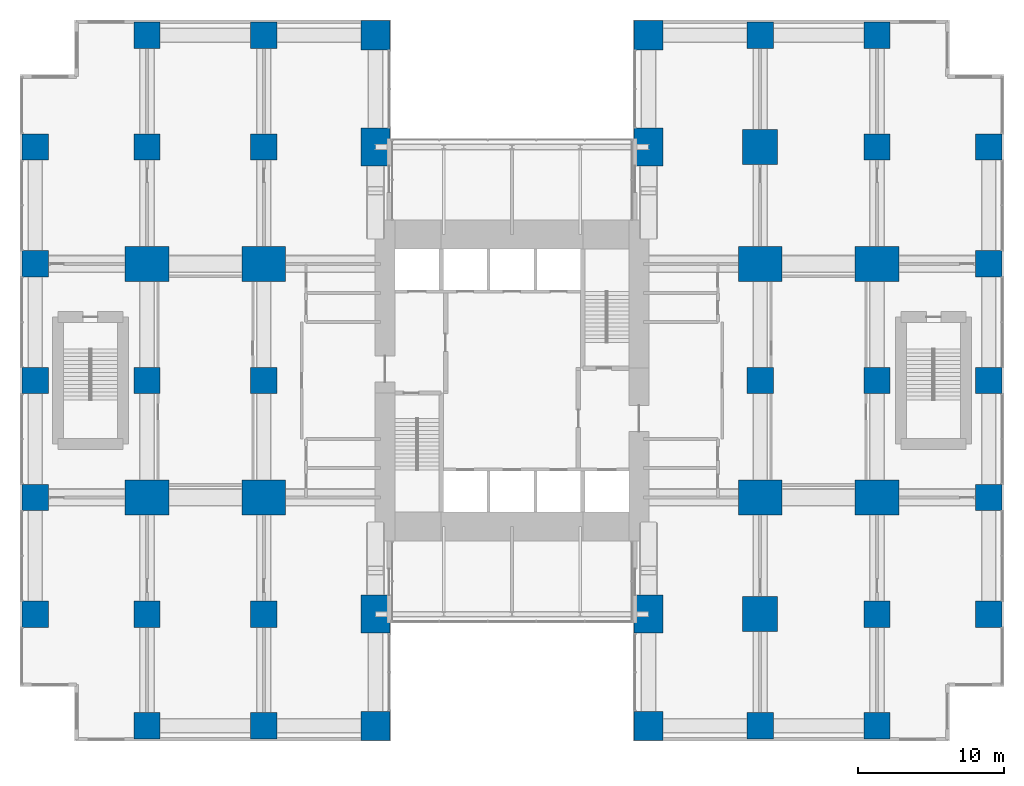
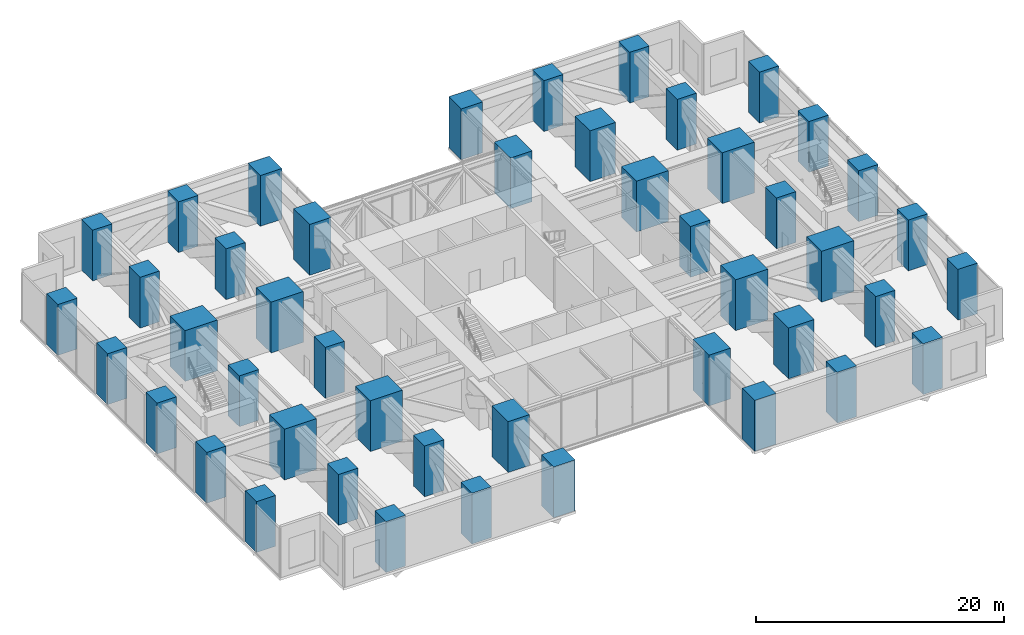
# One storey, part 1 of 19: 46 columns.
"""IFC4 building model written with IfcOpenShell, lengths in metres."""

from ifc_helpers import new_model, si_unit, direction, frame, origin, origin_2d, place, context, subcontext, project, spatial, rectangle, extrude, material, material_profile, profile_set, type_object, element, save


model = new_model("IFC4")

# Units and contexts
model_context = context("Model", 3, precision=1e-05, world=origin(), true_north=direction((0.0, 1.0)))
body_context = subcontext(model_context, "Body", "Model", "MODEL_VIEW")
ifc_project = project(units=[si_unit("LENGTHUNIT", "METRE"), si_unit("AREAUNIT", "SQUARE_METRE"), si_unit("VOLUMEUNIT", "CUBIC_METRE"), si_unit("PLANEANGLEUNIT", "RADIAN"), si_unit("MASSUNIT", "GRAM", prefix="KILO")], contexts=[model_context])

# Site, building, storey
site_placement = place(None, origin())
site = spatial("IfcSite", under=ifc_project, at=site_placement, CompositionType="ELEMENT")
building_placement = place(site_placement, origin())
building = spatial("IfcBuilding", under=site, at=building_placement, Name="Cleftline Residences", CompositionType="ELEMENT")
storey_placement = place(building_placement, frame((0.0, 0.0, 177.199951171875)))
storey = spatial("IfcBuildingStorey", under=building, at=storey_placement, Name="L46", CompositionType="ELEMENT", Elevation=177.199951171875)

# Columns
ifc_material_1 = material(Name="Concrete B70", Category="concrete")
ifc_material_profile_1 = material_profile(ifc_material_1, rectangle(XDim=1.800048828125, YDim=1.800048828125, at=origin_2d()))
ifc_profile_set_1 = profile_set([ifc_material_profile_1], Name="Concrete B70")
column_type_1 = type_object("IfcColumnType", Name="COLUMN RC1800X1800", PredefinedType="COLUMN", material=ifc_profile_set_1)
for number, where, z_axis, x_axis, name in (
    (1, (0.35009765625, 8.0, 0.0), (0.0, 0.0, 1.0), (1.0, 0.0, 0.0), "Column D/3"),
    (2, (0.35009765625, 16.0, 0.0), (0.0, 0.0, 1.0), (1.0, 0.0, 0.0), "Column E/3"),
    (3, (0.35009765625, 24.0, 0.0), (0.0, 0.0, 1.0), (1.0, 0.0, 0.0), "Column F/3"),
    (4, (0.35009765625, 32.0, 0.0), (0.0, 0.0, 1.0), (1.0, 0.0, 0.0), "Column G/3"),
    (5, (0.35009765625, 40.0, 0.0), (0.0, 0.0, 1.0), (1.0, 0.0, 0.0), "Column H/3"),
    (6, (8.0, 0.35009765625, 0.0), (0.0, 0.0, 1.0), (1.0, 0.0, 0.0), "Column C/4"),
    (7, (8.0, 8.0, 0.0), (0.0, 0.0, 1.0), (1.0, 0.0, 0.0), "Column D/4"),
    (8, (8.0, 24.0, 0.0), (0.0, 0.0, 1.0), (1.0, 0.0, 0.0), "Column F/4"),
    (9, (8.0, 40.0, 0.0), (0.0, 0.0, 1.0), (1.0, 0.0, 0.0), "Column H/4"),
    (10, (8.0, 47.64990234375, 0.0), (0.0, 0.0, 1.0), (1.0, 0.0, 0.0), "Column J/4"),
    (11, (16.0, 0.35009765625, 0.0), (0.0, 0.0, 1.0), (1.0, 0.0, 0.0), "Column C/5"),
    (12, (16.0, 8.0, 0.0), (0.0, 0.0, 1.0), (1.0, 0.0, 0.0), "Column D/5"),
    (13, (16.0, 24.0, 0.0), (0.0, 0.0, 1.0), (1.0, 0.0, 0.0), "Column F/5"),
    (14, (16.0, 40.0, 0.0), (0.0, 0.0, 1.0), (1.0, 0.0, 0.0), "Column H/5"),
    (15, (16.0, 47.64990234375, 0.0), (0.0, 0.0, 1.0), (1.0, 0.0, 0.0), "Column J/5"),
    (16, (50.0, 0.35009765625, 0.0), (0.0, 0.0, 1.0), (1.0, 0.0, 0.0), "Column C/9"),
    (17, (50.0, 24.0, 0.0), (0.0, 0.0, 1.0), (1.0, 0.0, 0.0), "Column F/9"),
    (18, (50.0, 47.64990234375, 0.0), (0.0, 0.0, 1.0), (1.0, 0.0, 0.0), "Column J/9"),
    (19, (58.0, 0.35009765625, 0.0), (0.0, 0.0, 1.0), (1.0, 0.0, 0.0), "Column C/10"),
    (20, (58.0, 8.0, 0.0), (0.0, 0.0, 1.0), (1.0, 0.0, 0.0), "Column D/10"),
    (21, (58.0, 24.0, 0.0), (0.0, 0.0, 1.0), (1.0, 0.0, 0.0), "Column F/10"),
    (22, (58.0, 40.0, 0.0), (0.0, 0.0, 1.0), (1.0, 0.0, 0.0), "Column H/10"),
    (23, (58.0, 47.64990234375, 0.0), (0.0, 0.0, 1.0), (1.0, 0.0, 0.0), "Column J/10"),
    (24, (65.64990234375, 8.0, 0.0), (0.0, 0.0, 1.0), (1.0, 0.0, 0.0), "Column D/11"),
    (25, (65.64990234375, 16.0, 0.0), (0.0, 0.0, 1.0), (1.0, 0.0, 0.0), "Column E/11"),
    (26, (65.64990234375, 24.0, 0.0), (0.0, 0.0, 1.0), (1.0, 0.0, 0.0), "Column F/11"),
    (27, (65.64990234375, 32.0, 0.0), (0.0, 0.0, 1.0), (1.0, 0.0, 0.0), "Column G/11"),
    (28, (65.64990234375, 40.0, 0.0), (0.0, 0.0, 1.0), (1.0, 0.0, 0.0), "Column H/11"),
):
    element("IfcColumn", number, at=place(storey_placement, frame(where, z_axis=z_axis, x_axis=x_axis)), inside=storey, type_object=column_type_1, Name=name, PredefinedType="COLUMN", context=body_context, shape_type="SweptSolid", body=[
        extrude(rectangle(XDim=1.800048828125, YDim=1.800048828125, at=origin_2d()), origin(), (0.0, 0.0, 1.0), 5.0),
    ])
ifc_material_2 = material(Name="Concrete B70", Category="concrete")
ifc_material_profile_2 = material_profile(ifc_material_2, rectangle(XDim=2.0, YDim=2.0, at=origin_2d()))
ifc_profile_set_2 = profile_set([ifc_material_profile_2], Name="Concrete B70")
column_type_2 = type_object("IfcColumnType", Name="COLUMN RC2000X2000", PredefinedType="COLUMN", material=ifc_profile_set_2)
for number, where, z_axis, x_axis, name in (
    (29, (23.64990234375, 0.35009765625, 0.0), (0.0, 0.0, 1.0), (1.0, 0.0, 0.0), "Column C/6"),
    (30, (23.64990234375, 47.64990234375, 0.0), (0.0, 0.0, 1.0), (1.0, 0.0, 0.0), "Column J/6"),
    (31, (42.35009765625, 0.35009765625, 0.0), (0.0, 0.0, 1.0), (1.0, 0.0, 0.0), "Column C/8"),
    (32, (42.35009765625, 47.64990234375, 0.0), (0.0, 0.0, 1.0), (1.0, 0.0, 0.0), "Column J/8"),
):
    element("IfcColumn", number, at=place(storey_placement, frame(where, z_axis=z_axis, x_axis=x_axis)), inside=storey, type_object=column_type_2, Name=name, PredefinedType="COLUMN", context=body_context, shape_type="SweptSolid", body=[
        extrude(rectangle(XDim=2.0, YDim=2.0, at=origin_2d()), origin(), (0.0, 0.0, 1.0), 5.0),
    ])
ifc_material_3 = material(Name="Concrete B70", Category="concrete")
ifc_material_profile_3 = material_profile(ifc_material_3, rectangle(XDim=2.0, YDim=2.60009765625, at=origin_2d()))
ifc_profile_set_3 = profile_set([ifc_material_profile_3], Name="Concrete B70")
column_type_3 = type_object("IfcColumnType", Name="COLUMN RC2000X2600", PredefinedType="COLUMN", material=ifc_profile_set_3)
for number, where, z_axis, x_axis, name in (
    (33, (23.64990234375, 8.0, 0.0), (0.0, 0.0, 1.0), (1.0, 0.0, 0.0), "Column D/6"),
    (34, (23.64990234375, 40.0, 0.0), (0.0, 0.0, 1.0), (1.0, 0.0, 0.0), "Column H/6"),
    (35, (42.35009765625, 8.0, 0.0), (0.0, 0.0, 1.0), (1.0, 0.0, 0.0), "Column D/8"),
    (36, (42.35009765625, 40.0, 0.0), (0.0, 0.0, 1.0), (1.0, 0.0, 0.0), "Column H/8"),
):
    element("IfcColumn", number, at=place(storey_placement, frame(where, z_axis=z_axis, x_axis=x_axis)), inside=storey, type_object=column_type_3, Name=name, PredefinedType="COLUMN", context=body_context, shape_type="SweptSolid", body=[
        extrude(rectangle(XDim=2.0, YDim=2.60009765625, at=origin_2d()), origin(), (0.0, 0.0, 1.0), 5.0),
    ])
ifc_material_4 = material(Name="Concrete B70", Category="concrete")
ifc_material_profile_4 = material_profile(ifc_material_4, rectangle(XDim=2.39990234375, YDim=2.39990234375, at=origin_2d()))
ifc_profile_set_4 = profile_set([ifc_material_profile_4], Name="Concrete B70")
column_type_4 = type_object("IfcColumnType", Name="COLUMN RC2400X2400", PredefinedType="COLUMN", material=ifc_profile_set_4)
for number, where, z_axis, x_axis, name in (
    (37, (50.0, 8.0, 0.0), (0.0, 0.0, 1.0), (1.0, 0.0, 0.0), "Column D/9"),
    (38, (50.0, 40.0, 0.0), (0.0, 0.0, 1.0), (1.0, 0.0, 0.0), "Column H/9"),
):
    element("IfcColumn", number, at=place(storey_placement, frame(where, z_axis=z_axis, x_axis=x_axis)), inside=storey, type_object=column_type_4, Name=name, PredefinedType="COLUMN", context=body_context, shape_type="SweptSolid", body=[
        extrude(rectangle(XDim=2.39990234375, YDim=2.39990234375, at=origin_2d()), origin(), (0.0, 0.0, 1.0), 5.0),
    ])
ifc_material_5 = material(Name="Concrete B70", Category="concrete")
ifc_material_profile_5 = material_profile(ifc_material_5, rectangle(XDim=3.0, YDim=2.39990234375, at=origin_2d()))
ifc_profile_set_5 = profile_set([ifc_material_profile_5], Name="Concrete B70")
column_type_5 = type_object("IfcColumnType", Name="COLUMN RC3000X2400", PredefinedType="COLUMN", material=ifc_profile_set_5)
for number, where, z_axis, x_axis, name in (
    (39, (8.0, 16.0, 0.0), (0.0, 0.0, 1.0), (1.0, 0.0, 0.0), "Column E/4"),
    (40, (8.0, 32.0, 0.0), (0.0, 0.0, 1.0), (1.0, 0.0, 0.0), "Column G/4"),
    (41, (16.0, 16.0, 0.0), (0.0, 0.0, 1.0), (1.0, 0.0, 0.0), "Column E/5"),
    (42, (16.0, 32.0, 0.0), (0.0, 0.0, 1.0), (1.0, 0.0, 0.0), "Column G/5"),
    (43, (50.0, 16.0, 0.0), (0.0, 0.0, 1.0), (1.0, 0.0, 0.0), "Column E/9"),
    (44, (50.0, 32.0, 0.0), (0.0, 0.0, 1.0), (1.0, 0.0, 0.0), "Column G/9"),
    (45, (58.0, 16.0, 0.0), (0.0, 0.0, 1.0), (1.0, 0.0, 0.0), "Column E/10"),
    (46, (58.0, 32.0, 0.0), (0.0, 0.0, 1.0), (1.0, 0.0, 0.0), "Column G/10"),
):
    element("IfcColumn", number, at=place(storey_placement, frame(where, z_axis=z_axis, x_axis=x_axis)), inside=storey, type_object=column_type_5, Name=name, PredefinedType="COLUMN", context=body_context, shape_type="SweptSolid", body=[
        extrude(rectangle(XDim=3.0, YDim=2.39990234375, at=origin_2d()), origin(), (0.0, 0.0, 1.0), 5.0),
    ])

save(model, "model.ifc")
